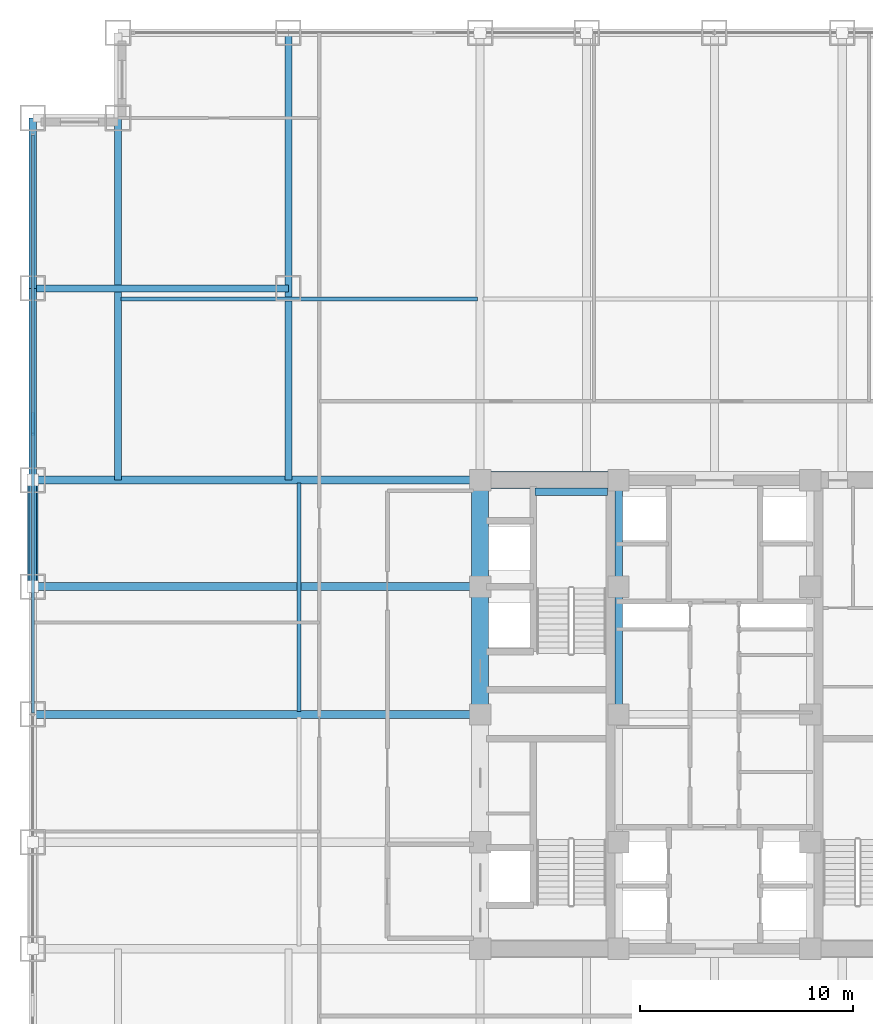
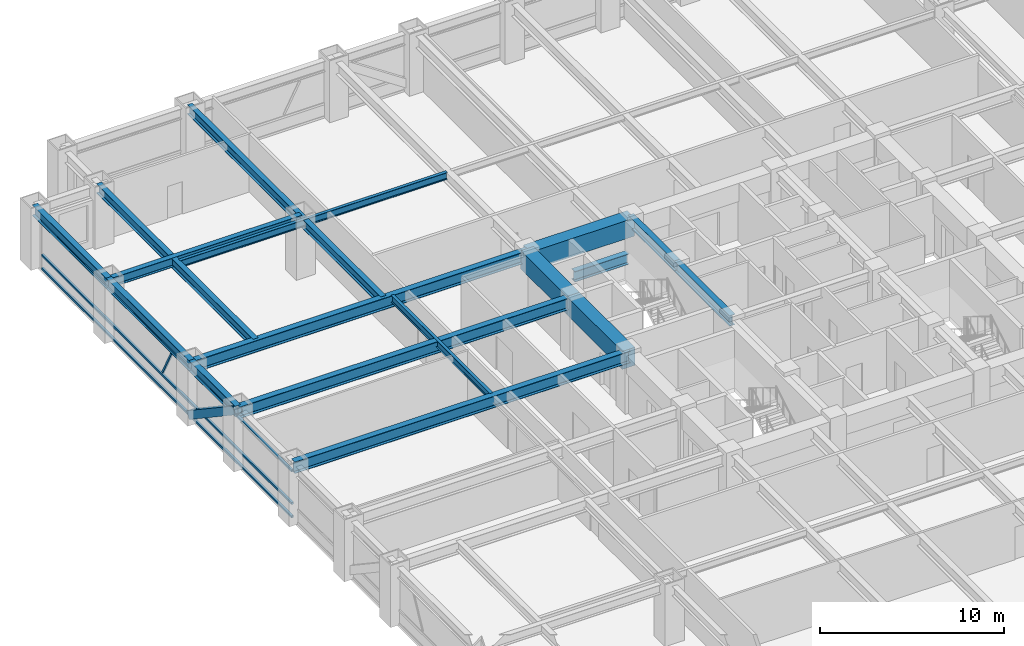
# One storey, part 9 of 28: 17 beams, 5 members, 1 element without a shape of its own.
"""IFC4 building model written with IfcOpenShell, lengths in metres."""

from ifc_helpers import new_model, si_unit, direction, frame, origin, origin_2d, place, context, subcontext, project, spatial, rectangle, hollow_rectangle, i_section, extrude, source, transform, mapped, material, material_profile, profile_set, type_object, element, aggregate, save


model = new_model("IFC4")

# Units and contexts
model_context = context("Model", 3, precision=1e-05, world=origin(), true_north=direction((0.0, 1.0)))
body_context = subcontext(model_context, "Body", "Model", "MODEL_VIEW")
ifc_project = project(units=[si_unit("LENGTHUNIT", "METRE"), si_unit("AREAUNIT", "SQUARE_METRE"), si_unit("VOLUMEUNIT", "CUBIC_METRE"), si_unit("PLANEANGLEUNIT", "RADIAN"), si_unit("MASSUNIT", "GRAM", prefix="KILO")], contexts=[model_context])

# Site, building, storey
site_placement = place(None, origin())
site = spatial("IfcSite", under=ifc_project, at=site_placement, CompositionType="ELEMENT")
building_placement = place(site_placement, origin())
building = spatial("IfcBuilding", under=site, at=building_placement, Name="Khorayat Bourse Tower", CompositionType="ELEMENT")
storey_placement = place(building_placement, frame((0.0, 0.0, 120.10009765625)))
storey = spatial("IfcBuildingStorey", under=building, at=storey_placement, Name="L27", CompositionType="ELEMENT", Elevation=120.10009765625)

# Beams
ifc_material_1 = material(Name="Concrete C72/90", Category="concrete")
ifc_material_profile_1 = material_profile(ifc_material_1, rectangle(XDim=0.800048828125, YDim=1.199951171875, at=origin_2d()), Name="RC 800x1200")
ifc_profile_set_1 = profile_set([ifc_material_profile_1], Name="Concrete C72/90")
beam_type_1 = type_object("IfcBeamType", Name="BM-COUP-1200", PredefinedType="BEAM", material=ifc_profile_set_1)
shared_shape_1 = source(origin(), body_context, "Body", "SweptSolid", [
    extrude(rectangle(XDim=0.800048828125, YDim=1.199951171875, at=origin_2d()), origin(), (0.0, 0.0, 1.0), 5.0),
])
beam_1_placement = place(storey_placement, frame((-11.0, 6.0, 3.239990234375), z_axis=(0.0, 1.0, 0.0), x_axis=(-1.0, 0.0, 0.0)))
element("IfcBeam", 1, at=beam_1_placement, inside=storey, type_object=beam_type_1, Name="L27 BM-COUP-1200 BM-L27-CRX-04", PredefinedType="BEAM", context=body_context, shape_type="MappedRepresentation", body=[
    mapped(shared_shape_1, transform((0.0, 0.0, 0.0), scale=1.0)),
])
shared_shape_2 = source(origin(), body_context, "Body", "SweptSolid", [
    extrude(rectangle(XDim=0.800048828125, YDim=1.199951171875, at=origin_2d()), origin(), (0.0, 0.0, 1.0), 6.0),
])
beam_2_placement = place(storey_placement, frame((-11.0, 0.0, 3.239990234375), z_axis=(0.0, 1.0, 0.0), x_axis=(-1.0, 0.0, 0.0)))
element("IfcBeam", 2, at=beam_2_placement, inside=storey, type_object=beam_type_1, Name="L27 BM-COUP-1200 BM-L27-CRX-03", PredefinedType="BEAM", context=body_context, shape_type="MappedRepresentation", body=[
    mapped(shared_shape_2, transform((0.0, 0.0, 0.0), scale=1.0)),
])
ifc_material_2 = material(Name="Steel ASTM A992 Grade 50", Category="steel")
ifc_material_profile_2 = material_profile(ifc_material_2, i_section(OverallWidth=0.35498046875, OverallDepth=0.695068359375, WebThickness=0.015380859375, FlangeThickness=0.02490234375, FilletRadius=0.01806640625, at=origin_2d()), Name="W690X217")
ifc_profile_set_2 = profile_set([ifc_material_profile_2], Name="Steel ASTM A992 Grade 50")
beam_type_2 = type_object("IfcBeamType", Name="BM-GIRD-690", PredefinedType="BEAM", material=ifc_profile_set_2)
shared_shape_3 = source(origin(), body_context, "Body", "SweptSolid", [
    extrude(i_section(OverallWidth=0.35498046875, OverallDepth=0.695068359375, WebThickness=0.015380859375, FlangeThickness=0.02490234375, FilletRadius=0.01806640625, at=origin_2d()), origin(), (0.0, 0.0, 1.0), 5.0),
])
beam_3_placement = place(storey_placement, frame((-4.5, 6.0, 3.492431640625), z_axis=(0.0, 1.0, 0.0), x_axis=(-1.0, 0.0, 0.0)))
element("IfcBeam", 3, at=beam_3_placement, inside=storey, type_object=beam_type_2, Name="L27 BM-GIRD-690 BM-L27-CRX-08", PredefinedType="BEAM", context=body_context, shape_type="MappedRepresentation", body=[
    mapped(shared_shape_3, transform((0.0, 0.0, 0.0), scale=1.0)),
])
shared_shape_4 = source(origin(), body_context, "Body", "SweptSolid", [
    extrude(i_section(OverallWidth=0.35498046875, OverallDepth=0.695068359375, WebThickness=0.015380859375, FlangeThickness=0.02490234375, FilletRadius=0.01806640625, at=origin_2d()), origin(), (0.0, 0.0, 1.0), 6.0),
])
beam_4_placement = place(storey_placement, frame((-4.5, 0.0, 3.492431640625), z_axis=(0.0, 1.0, 0.0), x_axis=(-1.0, 0.0, 0.0)))
element("IfcBeam", 4, at=beam_4_placement, inside=storey, type_object=beam_type_2, Name="L27 BM-GIRD-690 BM-L27-CRX-07", PredefinedType="BEAM", context=body_context, shape_type="MappedRepresentation", body=[
    mapped(shared_shape_4, transform((0.0, 0.0, 0.0), scale=1.0)),
])
shared_shape_5 = source(origin(), body_context, "Body", "SweptSolid", [
    extrude(rectangle(XDim=0.800048828125, YDim=1.199951171875, at=origin_2d()), origin(), (0.0, 0.0, 1.0), 6.5),
])
beam_5_placement = place(storey_placement, frame((-11.0, 11.0, 3.239990234375), z_axis=(1.0, 0.0, 0.0), x_axis=(0.0, 1.0, 0.0)))
element("IfcBeam", 5, at=beam_5_placement, inside=storey, type_object=beam_type_1, Name="L27 BM-COUP-1200 BM-L27-CRY-20", PredefinedType="BEAM", context=body_context, shape_type="MappedRepresentation", body=[
    mapped(shared_shape_5, transform((0.0, 0.0, 0.0), scale=1.0)),
])
shared_shape_6 = source(origin(), body_context, "Body", "SweptSolid", [
    extrude(i_section(OverallWidth=0.35498046875, OverallDepth=0.695068359375, WebThickness=0.015380859375, FlangeThickness=0.02490234375, FilletRadius=0.01806640625, at=origin_2d()), origin(), (0.0, 0.0, 1.0), 3.39990234375),
])
beam_6_placement = place(storey_placement, frame((-8.419921875, 10.449951171875, 1.50244140625), z_axis=(1.0, 0.0, 0.0), x_axis=(0.0, 1.0, 0.0)))
element("IfcBeam", 6, at=beam_6_placement, inside=storey, type_object=beam_type_2, Name="L27 BM-GIRD-690 BM-L27-ST2L", PredefinedType="BEAM", context=body_context, shape_type="MappedRepresentation", body=[
    mapped(shared_shape_6, transform((0.0, 0.0, 0.0), scale=1.0)),
])
ifc_material_profile_3 = material_profile(ifc_material_2, i_section(OverallWidth=0.35498046875, OverallDepth=0.695068359375, WebThickness=0.015380859375, FlangeThickness=0.02490234375, FilletRadius=0.01806640625, at=origin_2d()), Name="W690X217")
ifc_profile_set_3 = profile_set([ifc_material_profile_3], Name="Steel ASTM A992 Grade 50")
beam_type_3 = type_object("IfcBeamType", Name="BM-SPAN-690", PredefinedType="SPANDREL", material=ifc_profile_set_3)
shared_shape_7 = source(origin(), body_context, "Body", "SweptSolid", [
    extrude(i_section(OverallWidth=0.35498046875, OverallDepth=0.695068359375, WebThickness=0.015380859375, FlangeThickness=0.02490234375, FilletRadius=0.01806640625, at=origin_2d()), origin(), (0.0, 0.0, 1.0), 9.0),
])
beam_7_placement = place(storey_placement, frame((-32.0, 11.0, 3.492431640625), z_axis=(0.0, 1.0, 0.0), x_axis=(-1.0, 0.0, 0.0)))
element("IfcBeam", 7, at=beam_7_placement, inside=storey, type_object=beam_type_3, Name="L27 BM-SPAN-690 BM-L27-SPN-055", PredefinedType="SPANDREL", context=body_context, shape_type="MappedRepresentation", body=[
    mapped(shared_shape_7, transform((0.0, 0.0, 0.0), scale=1.0)),
])
shared_shape_8 = source(origin(), body_context, "Body", "SweptSolid", [
    extrude(i_section(OverallWidth=0.35498046875, OverallDepth=0.695068359375, WebThickness=0.015380859375, FlangeThickness=0.02490234375, FilletRadius=0.01806640625, at=origin_2d()), origin(), (0.0, 0.0, 1.0), 5.0),
])
beam_8_placement = place(storey_placement, frame((-32.0, 6.0, 3.492431640625), z_axis=(0.0, 1.0, 0.0), x_axis=(-1.0, 0.0, 0.0)))
element("IfcBeam", 8, at=beam_8_placement, inside=storey, type_object=beam_type_3, Name="L27 BM-SPAN-690 BM-L27-SPN-056", PredefinedType="SPANDREL", context=body_context, shape_type="MappedRepresentation", body=[
    mapped(shared_shape_8, transform((0.0, 0.0, 0.0), scale=1.0)),
])
ifc_material_profile_4 = material_profile(ifc_material_2, i_section(OverallWidth=0.324951171875, OverallDepth=0.615966796875, WebThickness=0.013916015625, FlangeThickness=0.021484375, FilletRadius=0.01611328125, at=origin_2d()), Name="W610X174")
ifc_profile_set_4 = profile_set([ifc_material_profile_4], Name="Steel ASTM A992 Grade 50")
beam_type_4 = type_object("IfcBeamType", Name="BM-GIRD-610", PredefinedType="BEAM", material=ifc_profile_set_4)
shared_shape_9 = source(origin(), body_context, "Body", "SweptSolid", [
    extrude(i_section(OverallWidth=0.324951171875, OverallDepth=0.615966796875, WebThickness=0.013916015625, FlangeThickness=0.021484375, FilletRadius=0.01611328125, at=origin_2d()), origin(), (0.0, 0.0, 1.0), 21.0),
])
beam_9_placement = place(storey_placement, frame((-20.0, 11.0, 3.531982421875), z_axis=(0.0, 1.0, 0.0), x_axis=(-1.0, 0.0, 0.0)))
element("IfcBeam", 9, at=beam_9_placement, inside=storey, type_object=beam_type_4, Name="L27 BM-GIRD-610 BM-L27-CNRY-085", PredefinedType="BEAM", context=body_context, shape_type="MappedRepresentation", body=[
    mapped(shared_shape_9, transform((0.0, 0.0, 0.0), scale=1.0)),
])
shared_shape_10 = source(origin(), body_context, "Body", "SweptSolid", [
    extrude(i_section(OverallWidth=0.324951171875, OverallDepth=0.615966796875, WebThickness=0.013916015625, FlangeThickness=0.021484375, FilletRadius=0.01611328125, at=origin_2d()), origin(), (0.0, 0.0, 1.0), 12.0),
])
beam_10_placement = place(storey_placement, frame((-32.0, 20.0, 3.531982421875), z_axis=(1.0, 0.0, 0.0), x_axis=(0.0, 1.0, 0.0)))
element("IfcBeam", 10, at=beam_10_placement, inside=storey, type_object=beam_type_4, Name="L27 BM-GIRD-610 BM-L27-CNRX-095", PredefinedType="BEAM", context=body_context, shape_type="MappedRepresentation", body=[
    mapped(shared_shape_10, transform((0.0, 0.0, 0.0), scale=1.0)),
])
ifc_material_profile_5 = material_profile(ifc_material_2, i_section(OverallWidth=0.194091796875, OverallDepth=0.468994140625, WebThickness=0.0126953125, FlangeThickness=0.0205078125, FilletRadius=0.012939453125, at=origin_2d()), Name="W460X106")
ifc_profile_set_5 = profile_set([ifc_material_profile_5], Name="Steel ASTM A992 Grade 50")
beam_type_5 = type_object("IfcBeamType", Name="BM-JOIST-460", PredefinedType="JOIST", material=ifc_profile_set_5)
shared_shape_11 = source(origin(), body_context, "Body", "SweptSolid", [
    extrude(i_section(OverallWidth=0.194091796875, OverallDepth=0.468994140625, WebThickness=0.0126953125, FlangeThickness=0.0205078125, FilletRadius=0.012939453125, at=origin_2d()), origin(), (0.0, 0.0, 1.0), 10.740234375),
])
beam_11_placement = place(storey_placement, frame((-19.5, 0.1298828125, 3.60546875), z_axis=(0.0, 1.0, 0.0), x_axis=(-1.0, 0.0, 0.0)))
element("IfcBeam", 11, at=beam_11_placement, inside=storey, type_object=beam_type_5, Name="L27 BM-JOIST-460 BM-L27-JSTY-103", PredefinedType="JOIST", context=body_context, shape_type="MappedRepresentation", body=[
    mapped(shared_shape_11, transform((0.0, 0.0, 0.0), scale=1.0)),
])
shared_shape_12 = source(origin(), body_context, "Body", "SweptSolid", [
    extrude(i_section(OverallWidth=0.35498046875, OverallDepth=0.695068359375, WebThickness=0.015380859375, FlangeThickness=0.02490234375, FilletRadius=0.01806640625, at=origin_2d()), origin(), (0.0, 0.0, 1.0), 8.0),
])
beam_12_placement = place(storey_placement, frame((-32.0, 20.0, 3.492431640625), z_axis=(0.0, 1.0, 0.0), x_axis=(-1.0, 0.0, 0.0)))
element("IfcBeam", 12, at=beam_12_placement, inside=storey, type_object=beam_type_3, Name="L27 BM-SPAN-690 BM-L27-SPN-054", PredefinedType="SPANDREL", context=body_context, shape_type="MappedRepresentation", body=[
    mapped(shared_shape_12, transform((0.0, 0.0, 0.0), scale=1.0)),
])
ifc_material_profile_6 = material_profile(ifc_material_2, i_section(OverallWidth=0.381103515625, OverallDepth=0.77294921875, WebThickness=0.0166015625, FlangeThickness=0.027587890625, FilletRadius=0.01806640625, at=origin_2d()), Name="W760X257")
ifc_profile_set_6 = profile_set([ifc_material_profile_6], Name="Steel ASTM A992 Grade 50")
beam_type_6 = type_object("IfcBeamType", Name="BM-GIRD-760", PredefinedType="BEAM", material=ifc_profile_set_6)
shared_shape_13 = source(origin(), body_context, "Body", "SweptSolid", [
    extrude(i_section(OverallWidth=0.381103515625, OverallDepth=0.77294921875, WebThickness=0.0166015625, FlangeThickness=0.027587890625, FilletRadius=0.01806640625, at=origin_2d()), origin(), (0.0, 0.0, 1.0), 21.0),
])
for number, where, z_axis, x_axis, name in (
    (13, (-32.0, 0.0, 3.453369140625), (1.0, 0.0, 0.0), (0.0, 1.0, 0.0), "L27 BM-GIRD-760 BM-L27-RADX-079"),
    (14, (-32.0, 6.0, 3.453369140625), (1.0, 0.0, 0.0), (0.0, 1.0, 0.0), "L27 BM-GIRD-760 BM-L27-RADX-081"),
    (15, (-32.0, 11.0, 3.453369140625), (1.0, 0.0, 0.0), (0.0, 1.0, 0.0), "L27 BM-GIRD-760 BM-L27-RADX-083"),
):
    element("IfcBeam", number, at=place(storey_placement, frame(where, z_axis=z_axis, x_axis=x_axis)), inside=storey, type_object=beam_type_6, Name=name, PredefinedType="BEAM", context=body_context, shape_type="MappedRepresentation", body=[
        mapped(shared_shape_13, transform((0.0, 0.0, 0.0), scale=1.0)),
    ])
shared_shape_14 = source(origin(), body_context, "Body", "SweptSolid", [
    extrude(i_section(OverallWidth=0.324951171875, OverallDepth=0.615966796875, WebThickness=0.013916015625, FlangeThickness=0.021484375, FilletRadius=0.01611328125, at=origin_2d()), origin(), (0.0, 0.0, 1.0), 17.0),
])
beam_13_placement = place(storey_placement, frame((-28.0, 11.0, 3.531982421875), z_axis=(0.0, 1.0, 0.0), x_axis=(-1.0, 0.0, 0.0)))
element("IfcBeam", 16, at=beam_13_placement, inside=storey, type_object=beam_type_4, Name="L27 BM-GIRD-610 BM-L27-CNRY-089", PredefinedType="BEAM", context=body_context, shape_type="MappedRepresentation", body=[
    mapped(shared_shape_14, transform((0.0, 0.0, 0.0), scale=1.0)),
])
shared_shape_15 = source(origin(), body_context, "Body", "SweptSolid", [
    extrude(i_section(OverallWidth=0.194091796875, OverallDepth=0.468994140625, WebThickness=0.0126953125, FlangeThickness=0.0205078125, FilletRadius=0.012939453125, at=origin_2d()), origin(), (0.0, 0.0, 1.0), 16.740234375),
])
beam_14_placement = place(storey_placement, frame((-27.8701171875, 19.5, 3.60546875), z_axis=(1.0, 0.0, 0.0), x_axis=(0.0, 1.0, 0.0)))
element("IfcBeam", 17, at=beam_14_placement, inside=storey, type_object=beam_type_5, Name="L27 BM-JOIST-460 BM-L27-JSTX-099", PredefinedType="JOIST", context=body_context, shape_type="MappedRepresentation", body=[
    mapped(shared_shape_15, transform((0.0, 0.0, 0.0), scale=1.0)),
])

# Member
ifc_material_3 = material(Name="Steel EN 10025-4 S460M", Category="steel")
ifc_material_profile_7 = material_profile(ifc_material_3, hollow_rectangle(XDim=0.5, YDim=0.5, WallThickness=0.028076171875, at=origin_2d()), Name="HSS 500x500x28")
ifc_profile_set_7 = profile_set([ifc_material_profile_7], Name="Steel EN 10025-4 S460M")
member_type_1 = type_object("IfcMemberType", Name="MBR-TUBE-500", PredefinedType="BRACE", material=ifc_profile_set_7)
shared_shape_16 = source(origin(), body_context, "Body", "SweptSolid", [
    extrude(hollow_rectangle(XDim=0.5, YDim=0.5, WallThickness=0.028076171875, at=origin_2d()), origin(), (0.0, 0.0, 1.0), 6.012939453125),
])
member_1_placement = place(storey_placement, frame((-32.0, 6.0, 3.58984375), z_axis=(0.0, 0.831550226979, -0.555449565677), x_axis=(-1.0, 0.0, 0.0)))
element("IfcMember", 18, at=member_1_placement, inside=storey, type_object=member_type_1, Name="L27 Perimeter Tube Brace 06", PredefinedType="BRACE", context=body_context, shape_type="MappedRepresentation", body=[
    mapped(shared_shape_16, transform((0.0, 0.0, 0.0), scale=1.0)),
])

# Curtain wall, members
ifc_material_4 = material(Name="Aluminium EN AW-6063 T6", Category="aluminium")
curtain_wall_type = type_object("IfcCurtainWallType", Name="CW-SYS-02", PredefinedType="NOTDEFINED", material=ifc_material_4)
curtain_wall_placement = place(storey_placement, origin())
curtain_wall = element("IfcCurtainWall", 19, at=curtain_wall_placement, inside=storey, type_object=curtain_wall_type, Name="L27 Curtain Wall CW-L27-W1", PredefinedType="NOTDEFINED")
ifc_material_profile_8 = material_profile(ifc_material_4, hollow_rectangle(XDim=0.139892578125, YDim=0.139892578125, WallThickness=0.006103515625, at=origin_2d()), Name="ALU 140x140x6")
ifc_profile_set_8 = profile_set([ifc_material_profile_8], Name="Aluminium EN AW-6063 T6")
member_type_2 = type_object("IfcMemberType", Name="CWT-HORZ-140", PredefinedType="USERDEFINED", material=ifc_profile_set_8)
shared_shape_17 = source(origin(), body_context, "Body", "SweptSolid", [
    extrude(hollow_rectangle(XDim=0.139892578125, YDim=0.139892578125, WallThickness=0.006103515625, at=origin_2d()), origin(), (0.0, 0.0, 1.0), 27.139892578125),
])
member_2_placement = place(storey_placement, frame((-32.0, 0.070068359375, 0.06982421875), z_axis=(0.0, 1.0, 0.0), x_axis=(-1.0, 0.0, 0.0)))
member_2 = element("IfcMember", 20, at=member_2_placement, type_object=member_type_2, Name="CW-L27-W1 Horizontal Transom 2-1", ObjectType="TRANSOM", PredefinedType="USERDEFINED", context=body_context, shape_type="MappedRepresentation", body=[
    mapped(shared_shape_17, transform((0.0, 0.0, 0.0), scale=1.0)),
])
member_3_placement = place(storey_placement, frame((-32.0, 0.070068359375, 0.949951171875), z_axis=(0.0, 1.0, 0.0), x_axis=(-1.0, 0.0, 0.0)))
member_3 = element("IfcMember", 21, at=member_3_placement, type_object=member_type_2, Name="CW-L27-W1 Horizontal Transom 2-2", ObjectType="TRANSOM", PredefinedType="USERDEFINED", context=body_context, shape_type="MappedRepresentation", body=[
    mapped(shared_shape_17, transform((0.0, 0.0, 0.0), scale=1.0)),
])
member_4_placement = place(storey_placement, frame((-32.0, 0.070068359375, 3.119873046875), z_axis=(0.0, 1.0, 0.0), x_axis=(-1.0, 0.0, 0.0)))
member_4 = element("IfcMember", 22, at=member_4_placement, type_object=member_type_2, Name="CW-L27-W1 Horizontal Transom 2-3", ObjectType="TRANSOM", PredefinedType="USERDEFINED", context=body_context, shape_type="MappedRepresentation", body=[
    mapped(shared_shape_17, transform((0.0, 0.0, 0.0), scale=1.0)),
])
ifc_material_profile_9 = material_profile(ifc_material_4, hollow_rectangle(XDim=0.1201171875, YDim=0.1201171875, WallThickness=0.0048828125, at=origin_2d()), Name="ALU 120x120x5")
ifc_profile_set_9 = profile_set([ifc_material_profile_9], Name="Aluminium EN AW-6063 T6")
member_type_3 = type_object("IfcMemberType", Name="CWM-DIAG-120", PredefinedType="MULLION", material=ifc_profile_set_9)
shared_shape_18 = source(origin(), body_context, "Body", "SweptSolid", [
    extrude(hollow_rectangle(XDim=0.1201171875, YDim=0.1201171875, WallThickness=0.0048828125, at=origin_2d()), origin(), (0.0, 0.0, 1.0), 2.11328125),
])
member_5_placement = place(storey_placement, frame((-32.0, 14.132080078125, 1.099853515625), z_axis=(0.0, -0.465694055905, 0.884945787207), x_axis=(1.0, 0.0, 0.0)))
member_5 = element("IfcMember", 23, at=member_5_placement, type_object=member_type_3, Name="CW-L27-W1 Faceted Diagonal Mullion 2", PredefinedType="MULLION", context=body_context, shape_type="MappedRepresentation", body=[
    mapped(shared_shape_18, transform((0.0, 0.0, 0.0), scale=1.0)),
])
aggregate(curtain_wall, [member_2, member_3, member_4, member_5])

save(model, "model.ifc")
